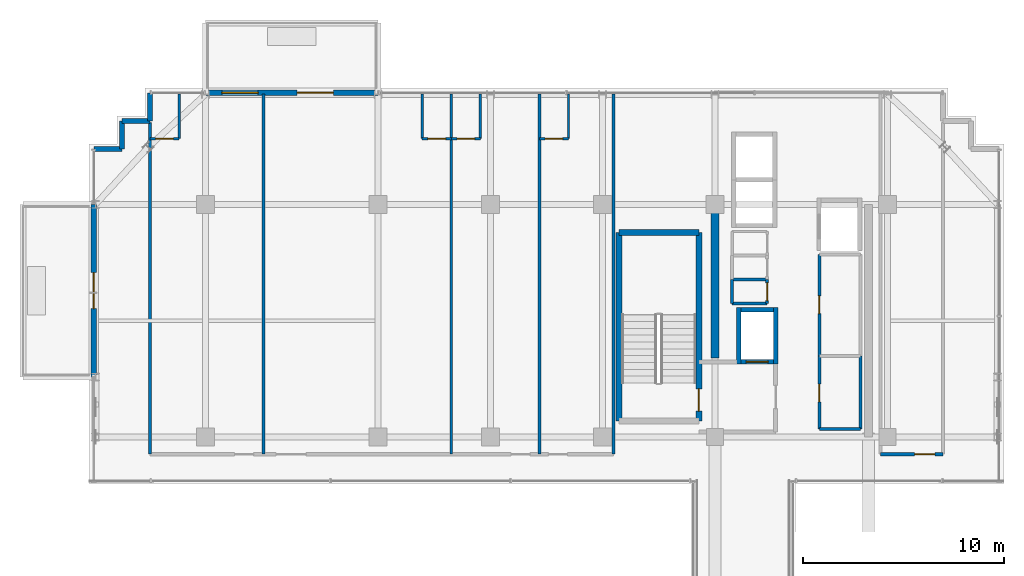
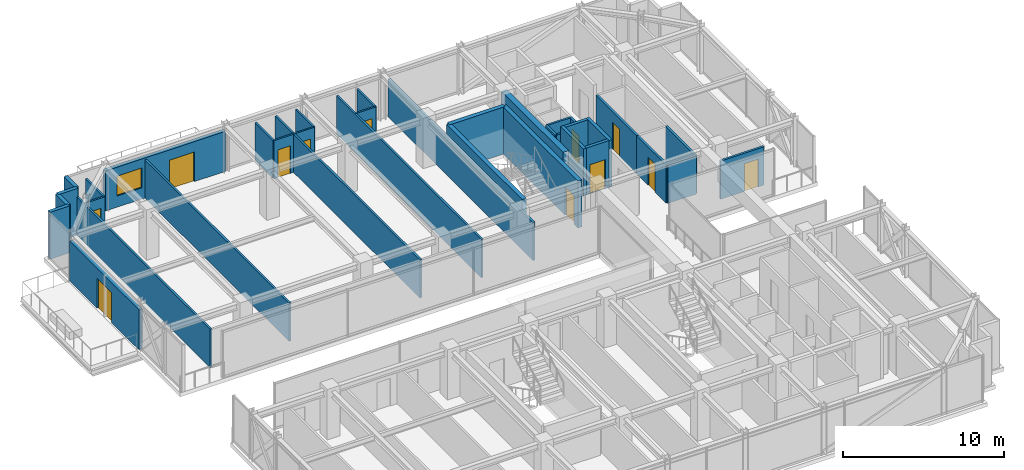
# One storey, part 36 of 41: 36 walls, 12 doors, 1 window, 13 openings.
"""IFC4 building model written with IfcOpenShell, lengths in metres."""

from ifc_helpers import new_model, si_unit, direction, frame, frame_2d, origin, place, context, subcontext, project, spatial, rectangle, extrude, source, transform, mapped, material, layer, layer_set, type_object, element, fill, save


model = new_model("IFC4")

# Units and contexts
model_context = context("Model", 3, precision=1e-05, world=origin(), true_north=direction((0.0, 1.0)))
body_context = subcontext(model_context, "Body", "Model", "MODEL_VIEW")
ifc_project = project(units=[si_unit("LENGTHUNIT", "METRE"), si_unit("AREAUNIT", "SQUARE_METRE"), si_unit("VOLUMEUNIT", "CUBIC_METRE"), si_unit("PLANEANGLEUNIT", "RADIAN"), si_unit("MASSUNIT", "GRAM", prefix="KILO")], contexts=[model_context])

# Site, building, storey
site_placement = place(None, origin())
site = spatial("IfcSite", under=ifc_project, at=site_placement, CompositionType="ELEMENT")
building_placement = place(site_placement, origin())
building = spatial("IfcBuilding", under=site, at=building_placement, Name="Nahalor Promenade Grand Hotel", CompositionType="ELEMENT")
storey_placement = place(building_placement, frame((0.0, 0.0, 304.199951171875)))
storey = spatial("IfcBuildingStorey", under=building, at=storey_placement, Name="L78", CompositionType="ELEMENT", Elevation=304.199951171875)

# Walls
ifc_material_1 = material(Name="Concrete B-50 (C40/50)", Category="concrete")
ifc_layer_1 = layer(ifc_material_1, 0.39990234375)
ifc_layer_set_1 = layer_set([ifc_layer_1], Name="Concrete B-50 (C40/50)")
wall_type_1 = type_object("IfcWallType", Name="Wall-CoreShear-400", PredefinedType="SHEAR", material=ifc_layer_set_1)
shared_shape_1 = source(origin(), body_context, "Body", "SweptSolid", [
    extrude(rectangle(XDim=7.64990234375, YDim=0.39990234375, at=frame_2d((3.824951171875, 0.0))), origin(), (0.0, 0.0, 1.0), 3.550048828125),
])
wall_1_placement = place(storey_placement, frame((8.39990234375, 9.35009765625, 0.0), z_axis=(0.0, 0.0, 1.0), x_axis=(0.0, 1.0, 0.0)))
element("IfcWall", 1, at=wall_1_placement, inside=storey, type_object=wall_type_1, Name="CWALL-L78-NW", PredefinedType="SHEAR", context=body_context, shape_type="MappedRepresentation", body=[
    mapped(shared_shape_1, transform((0.0, 0.0, 0.0), scale=1.0)),
])
ifc_layer_2 = layer(ifc_material_1, 0.300048828125)
ifc_layer_set_2 = layer_set([ifc_layer_2], Name="Concrete B-50 (C40/50)")
wall_type_2 = type_object("IfcWallType", Name="Wall-ShaftShear-300", PredefinedType="SHEAR", material=ifc_layer_set_2)
shared_shape_2 = source(origin(), body_context, "Body", "SweptSolid", [
    extrude(rectangle(XDim=3.97998046875, YDim=0.300048828125, at=frame_2d((1.989990234375, 0.0))), origin(), (0.0, 0.0, 1.0), 3.550048828125),
])
wall_2_placement = place(storey_placement, frame((3.610107421875, 15.590087890625, 0.0), z_axis=(0.0, 0.0, 1.0), x_axis=(1.0, 0.0, 0.0)))
element("IfcWall", 2, at=wall_2_placement, inside=storey, type_object=wall_type_2, Name="L78 Exit Stair ST1 Shaft Wall N", PredefinedType="SHEAR", context=body_context, shape_type="MappedRepresentation", body=[
    mapped(shared_shape_2, transform((0.0, 0.0, 0.0), scale=1.0)),
])
shared_shape_3 = source(origin(), body_context, "Body", "SweptSolid", [
    extrude(rectangle(XDim=9.380126953125, YDim=0.300048828125, at=frame_2d((4.68994140625, 0.0))), origin(), (0.0, 0.0, 1.0), 3.550048828125),
])
wall_3_placement = place(storey_placement, frame((3.610107421875, 6.2099609375, 0.0), z_axis=(0.0, 0.0, 1.0), x_axis=(0.0, 1.0, 0.0)))
element("IfcWall", 3, at=wall_3_placement, inside=storey, type_object=wall_type_2, Name="L78 Exit Stair ST1 Shaft Wall W", PredefinedType="SHEAR", context=body_context, shape_type="MappedRepresentation", body=[
    mapped(shared_shape_3, transform((0.0, 0.0, 0.0), scale=1.0)),
])

# Wall, opening, door
wall_4_placement = place(storey_placement, frame((7.590087890625, 6.2099609375, 0.0), z_axis=(0.0, 0.0, 1.0), x_axis=(0.0, 1.0, 0.0)))
wall_4 = element("IfcWall", 4, at=wall_4_placement, inside=storey, type_object=wall_type_2, Name="L78 Exit Stair ST1 Shaft Wall E", PredefinedType="SHEAR", context=body_context, shape_type="MappedRepresentation", body=[
    mapped(shared_shape_3, transform((0.0, 0.0, 0.0), scale=1.0)),
])
opening_1_placement = place(wall_4_placement, frame((0.489990234375, 0.0, 0.0)))
opening_1 = element("IfcOpeningElement", 5, at=opening_1_placement, cuts=wall_4, Name="Opening D-ST1", PredefinedType="OPENING", context=body_context, shape_type="SweptSolid", body=[
    extrude(rectangle(XDim=1.10009765625, YDim=2.14990234375, at=frame_2d((0.550048828125, 1.074951171875))), frame((0.0, 0.159912109375, 0.0), z_axis=(0.0, -1.0, 0.0), x_axis=(1.0, 0.0, 0.0)), (0.0, 0.0, 1.0), 0.320068359375),
])
ifc_material_2 = material(Name="Steel S355JR", Category="steel")
door_type_1 = type_object("IfcDoorType", Name="Door-StairFire-1100", OperationType="NOTDEFINED", PredefinedType="DOOR", material=ifc_material_2)
shared_shape_4 = source(origin(), body_context, "Body", "SweptSolid", [
    extrude(rectangle(XDim=1.10009765625, YDim=2.14990234375, at=frame_2d((0.550048828125, 1.074951171875))), frame((0.0, 0.02490234375, 0.0), z_axis=(0.0, -1.0, 0.0), x_axis=(1.0, 0.0, 0.0)), (0.0, 0.0, 1.0), 0.050048828125),
])
door_1_placement = place(opening_1_placement, origin())
door_1 = element("IfcDoor", 6, at=door_1_placement, inside=storey, type_object=door_type_1, Name="DR-STAIR-ST1-L78", OperationType="SINGLE_SWING_LEFT", OverallHeight=2.14990234375, OverallWidth=1.10009765625, PredefinedType="DOOR", context=body_context, shape_type="MappedRepresentation", body=[
    mapped(shared_shape_4, transform((0.0, 0.0, 0.0), scale=1.0)),
])
fill(opening_1, door_1)

# Walls
ifc_layer_3 = layer(ifc_material_1, 0.219970703125)
ifc_layer_set_3 = layer_set([ifc_layer_3], Name="Concrete B-50 (C40/50)")
wall_type_3 = type_object("IfcWallType", Name="Wall-LiftShaft-220", PredefinedType="SHEAR", material=ifc_layer_set_3)
shared_shape_5 = source(origin(), body_context, "Body", "SweptSolid", [
    extrude(rectangle(XDim=2.820068359375, YDim=0.219970703125, at=frame_2d((1.41015625, 0.0))), origin(), (0.0, 0.0, 1.0), 3.550048828125),
])
for number, where, z_axis, x_axis, name in (
    (7, (9.580078125, 9.0400390625, 0.0), (0.0, 0.0, 1.0), (0.0, 1.0, 0.0), "L78 Lift FL1 Hoistway Wall W"),
    (8, (11.419921875, 9.0400390625, 0.0), (0.0, 0.0, 1.0), (0.0, 1.0, 0.0), "L78 Lift FL1 Hoistway Wall E"),
):
    element("IfcWall", number, at=place(storey_placement, frame(where, z_axis=z_axis, x_axis=x_axis)), inside=storey, type_object=wall_type_3, Name=name, PredefinedType="SHEAR", context=body_context, shape_type="MappedRepresentation", body=[
        mapped(shared_shape_5, transform((0.0, 0.0, 0.0), scale=1.0)),
    ])

# Wall, opening, door
shared_shape_6 = source(origin(), body_context, "Body", "SweptSolid", [
    extrude(rectangle(XDim=1.6201171875, YDim=0.219970703125, at=frame_2d((0.81005859375, 0.0))), origin(), (0.0, 0.0, 1.0), 3.550048828125),
])
wall_5_placement = place(storey_placement, frame((9.68994140625, 9.14990234375, 0.0), z_axis=(0.0, 0.0, 1.0), x_axis=(1.0, 0.0, 0.0)))
wall_5 = element("IfcWall", 9, at=wall_5_placement, inside=storey, type_object=wall_type_3, Name="L78 Lift FL1 Hoistway Wall S", PredefinedType="SHEAR", context=body_context, shape_type="MappedRepresentation", body=[
    mapped(shared_shape_6, transform((0.0, 0.0, 0.0), scale=1.0)),
])
opening_2_placement = place(wall_5_placement, frame((0.260009765625, 0.0, 0.0)))
opening_2 = element("IfcOpeningElement", 10, at=opening_2_placement, cuts=wall_5, Name="Opening LD-02", PredefinedType="OPENING", context=body_context, shape_type="SweptSolid", body=[
    extrude(rectangle(XDim=1.10009765625, YDim=2.199951171875, at=frame_2d((0.550048828125, 1.10009765625))), frame((0.0, 0.119873046875, 0.0), z_axis=(0.0, -1.0, 0.0), x_axis=(1.0, 0.0, 0.0)), (0.0, 0.0, 1.0), 0.239990234375),
])
door_type_2 = type_object("IfcDoorType", Name="Door-LiftFF-1100", OperationType="DOUBLE_DOOR_SLIDING", PredefinedType="DOOR", material=ifc_material_2)
shared_shape_7 = source(origin(), body_context, "Body", "SweptSolid", [
    extrude(rectangle(XDim=1.10009765625, YDim=2.199951171875, at=frame_2d((0.550048828125, 1.10009765625))), frame((0.0, 0.02490234375, 0.0), z_axis=(0.0, -1.0, 0.0), x_axis=(1.0, 0.0, 0.0)), (0.0, 0.0, 1.0), 0.050048828125),
])
door_2_placement = place(opening_2_placement, frame((1.10009765625, 0.0, 0.0), z_axis=(0.0, 0.0, 1.0), x_axis=(-1.0, 0.0, 0.0)))
door_2 = element("IfcDoor", 11, at=door_2_placement, inside=storey, type_object=door_type_2, Name="DR-LIFT-FL1-L78", OperationType="DOUBLE_DOOR_SLIDING", OverallHeight=2.199951171875, OverallWidth=1.10009765625, PredefinedType="DOOR", context=body_context, shape_type="MappedRepresentation", body=[
    mapped(shared_shape_7, transform((0.0, 0.0, 0.0), scale=1.0)),
])
fill(opening_2, door_2)

# Walls
wall_6_placement = place(storey_placement, frame((9.68994140625, 11.75, 0.0), z_axis=(0.0, 0.0, 1.0), x_axis=(1.0, 0.0, 0.0)))
element("IfcWall", 12, at=wall_6_placement, inside=storey, type_object=wall_type_3, Name="L78 Lift FL1 Hoistway Wall N", PredefinedType="SHEAR", context=body_context, shape_type="MappedRepresentation", body=[
    mapped(shared_shape_6, transform((0.0, 0.0, 0.0), scale=1.0)),
])
ifc_material_3 = material(Name="Concrete B-40 (C32/40)", Category="concrete")
ifc_layer_4 = layer(ifc_material_3, 0.25)
ifc_layer_set_4 = layer_set([ifc_layer_4], Name="Concrete B-40 (C32/40)")
wall_type_4 = type_object("IfcWallType", Name="Wall-BronzePier-250", PredefinedType="STANDARD", material=ifc_layer_set_4)
shared_shape_8 = source(origin(), body_context, "Body", "SweptSolid", [
    extrude(rectangle(XDim=1.400146484375, YDim=0.25, at=frame_2d((0.7001953125, 0.0))), origin(), (0.0, 0.0, 1.0), 3.550048828125),
])
for number, where, z_axis, x_axis, name in (
    (13, (-19.760009765625, 21.159912109375, 0.0), (0.0, 0.0, 1.0), (0.0, 1.0, 0.0), "W-L78-SR-09"),
    (14, (-22.56005859375, 19.760009765625, 0.0), (0.0, 0.0, 1.0), (1.0, 0.0, 0.0), "W-L78-SR-12"),
):
    element("IfcWall", number, at=place(storey_placement, frame(where, z_axis=z_axis, x_axis=x_axis)), inside=storey, type_object=wall_type_4, Name=name, PredefinedType="STANDARD", context=body_context, shape_type="MappedRepresentation", body=[
        mapped(shared_shape_8, transform((0.0, 0.0, 0.0), scale=1.0)),
    ])
shared_shape_9 = source(origin(), body_context, "Body", "SweptSolid", [
    extrude(rectangle(XDim=1.39990234375, YDim=0.25, at=frame_2d((0.699951171875, 0.0))), origin(), (0.0, 0.0, 1.0), 3.550048828125),
])
for number, where, z_axis, x_axis, name in (
    (15, (-21.159912109375, 21.159912109375, 0.0), (0.0, 0.0, 1.0), (1.0, 0.0, 0.0), "W-L78-SR-10"),
    (16, (-21.159912109375, 19.760009765625, 0.0), (0.0, 0.0, 1.0), (0.0, 1.0, 0.0), "W-L78-SR-11"),
):
    element("IfcWall", number, at=place(storey_placement, frame(where, z_axis=z_axis, x_axis=x_axis)), inside=storey, type_object=wall_type_4, Name=name, PredefinedType="STANDARD", context=body_context, shape_type="MappedRepresentation", body=[
        mapped(shared_shape_9, transform((0.0, 0.0, 0.0), scale=1.0)),
    ])

# Wall, openings, door, window
ifc_layer_5 = layer(ifc_material_3, 0.260009765625)
ifc_layer_set_5 = layer_set([ifc_layer_5], Name="Concrete B-40 (C32/40)")
wall_type_5 = type_object("IfcWallType", Name="Wall-BalconyWall-260", PredefinedType="STANDARD", material=ifc_layer_set_5)
shared_shape_10 = source(origin(), body_context, "Body", "SweptSolid", [
    extrude(rectangle(XDim=8.60009765625, YDim=0.260009765625, at=frame_2d((4.300048828125, 0.0))), origin(), (0.0, 0.0, 1.0), 3.030029296875),
])
wall_7_placement = place(storey_placement, frame((-17.0, 22.56005859375, 0.0), z_axis=(0.0, 0.0, 1.0), x_axis=(1.0, 0.0, 0.0)))
wall_7 = element("IfcWall", 17, at=wall_7_placement, inside=storey, type_object=wall_type_5, Name="W-L78-BALC-N-2", PredefinedType="STANDARD", context=body_context, shape_type="MappedRepresentation", body=[
    mapped(shared_shape_10, transform((0.0, 0.0, 0.0), scale=1.0)),
])
opening_3_placement = place(wall_7_placement, frame((4.573974609375, 0.0, 0.0)))
opening_3 = element("IfcOpeningElement", 18, at=opening_3_placement, cuts=wall_7, Name="Opening D-BC1", PredefinedType="OPENING", context=body_context, shape_type="SweptSolid", body=[
    extrude(rectangle(XDim=1.800048828125, YDim=2.25, at=frame_2d((0.89990234375, 1.125))), frame((0.0, 0.139892578125, 0.0), z_axis=(0.0, -1.0, 0.0), x_axis=(1.0, 0.0, 0.0)), (0.0, 0.0, 1.0), 0.280029296875),
])
opening_4_placement = place(wall_7_placement, frame((0.823974609375, 0.0, 0.85009765625)))
opening_4 = element("IfcOpeningElement", 19, at=opening_4_placement, cuts=wall_7, Name="Opening WN-01", PredefinedType="OPENING", context=body_context, shape_type="SweptSolid", body=[
    extrude(rectangle(XDim=1.800048828125, YDim=1.5, at=frame_2d((0.89990234375, 0.75))), frame((0.0, 0.139892578125, 0.0), z_axis=(0.0, -1.0, 0.0), x_axis=(1.0, 0.0, 0.0)), (0.0, 0.0, 1.0), 0.280029296875),
])
ifc_material_4 = material(Name="Anodised Bronze Aluminium EN AW-6063 T6", Category="aluminium")
door_type_3 = type_object("IfcDoorType", Name="Door-BalconySlide-1800", OperationType="DOUBLE_DOOR_SLIDING", PredefinedType="DOOR", material=ifc_material_4)
shared_shape_11 = source(origin(), body_context, "Body", "SweptSolid", [
    extrude(rectangle(XDim=1.800048828125, YDim=2.25, at=frame_2d((0.89990234375, 1.125))), frame((0.0, 0.02490234375, 0.0), z_axis=(0.0, -1.0, 0.0), x_axis=(1.0, 0.0, 0.0)), (0.0, 0.0, 1.0), 0.050048828125),
])
door_3_placement = place(opening_3_placement, origin())
door_3 = element("IfcDoor", 20, at=door_3_placement, inside=storey, type_object=door_type_3, Name="DR-L78-BALC-N-2", OperationType="DOUBLE_DOOR_SLIDING", OverallHeight=2.25, OverallWidth=1.800048828125, PredefinedType="DOOR", context=body_context, shape_type="MappedRepresentation", body=[
    mapped(shared_shape_11, transform((0.0, 0.0, 0.0), scale=1.0)),
])
fill(opening_3, door_3)
ifc_material_5 = material(Name="Low-E Laminated Solar Glass", Category="glass")
window_type = type_object("IfcWindowType", Name="Win-ChicagoBay-1800x1500", PartitioningType="SINGLE_PANEL", PredefinedType="WINDOW", material=ifc_material_5)
shared_shape_12 = source(origin(), body_context, "Body", "SweptSolid", [
    extrude(rectangle(XDim=1.800048828125, YDim=1.5, at=frame_2d((0.89990234375, 0.75))), frame((0.0, 0.030029296875, 0.0), z_axis=(0.0, -1.0, 0.0), x_axis=(1.0, 0.0, 0.0)), (0.0, 0.0, 1.0), 0.06005859375),
])
window_placement = place(opening_4_placement, origin())
window = element("IfcWindow", 21, at=window_placement, inside=storey, type_object=window_type, Name="WN-L78-BALC-N-2-1", OverallHeight=1.5, OverallWidth=1.800048828125, PartitioningType="SINGLE_PANEL", PredefinedType="WINDOW", context=body_context, shape_type="MappedRepresentation", body=[
    mapped(shared_shape_12, transform((0.0, 0.0, 0.0), scale=1.0)),
])
fill(opening_4, window)

# Wall, opening, door
wall_8_placement = place(storey_placement, frame((-22.56005859375, 8.39990234375, 0.0), z_axis=(0.0, 0.0, 1.0), x_axis=(0.0, 1.0, 0.0)))
wall_8 = element("IfcWall", 22, at=wall_8_placement, inside=storey, type_object=wall_type_5, Name="W-L78-BALC-W-3", PredefinedType="STANDARD", context=body_context, shape_type="MappedRepresentation", body=[
    mapped(shared_shape_10, transform((0.0, 0.0, 0.0), scale=1.0)),
])
opening_5_placement = place(wall_8_placement, frame((3.39990234375, 0.0, 0.0)))
opening_5 = element("IfcOpeningElement", 23, at=opening_5_placement, cuts=wall_8, Name="Opening D-BC1", PredefinedType="OPENING", context=body_context, shape_type="SweptSolid", body=[
    extrude(rectangle(XDim=1.800048828125, YDim=2.25, at=frame_2d((0.89990234375, 1.125))), frame((0.0, 0.139892578125, 0.0), z_axis=(0.0, -1.0, 0.0), x_axis=(1.0, 0.0, 0.0)), (0.0, 0.0, 1.0), 0.280029296875),
])
door_4_placement = place(opening_5_placement, origin())
door_4 = element("IfcDoor", 24, at=door_4_placement, inside=storey, type_object=door_type_3, Name="DR-L78-BALC-W-3", OperationType="DOUBLE_DOOR_SLIDING", OverallHeight=2.25, OverallWidth=1.800048828125, PredefinedType="DOOR", context=body_context, shape_type="MappedRepresentation", body=[
    mapped(shared_shape_11, transform((0.0, 0.0, 0.0), scale=1.0)),
])
fill(opening_5, door_4)

# Walls
ifc_material_6 = material(Name="Acoustic Mineral Gypsum", Category="gypsum")
ifc_layer_6 = layer(ifc_material_6, 0.14990234375)
ifc_layer_set_6 = layer_set([ifc_layer_6], Name="Acoustic Mineral Gypsum")
wall_type_6 = type_object("IfcWallType", Name="Wall-PartService-150", PredefinedType="PARTITIONING", material=ifc_layer_set_6)
shared_shape_13 = source(origin(), body_context, "Body", "SweptSolid", [
    extrude(rectangle(XDim=1.75, YDim=0.14990234375, at=frame_2d((0.875, 0.0))), origin(), (0.0, 0.0, 1.0), 2.89013671875),
])
for number, where, z_axis, x_axis, name in (
    (25, (9.25, 12.050048828125, 0.0), (0.0, 0.0, 1.0), (1.0, 0.0, 0.0), "W-L78-CK3A-S"),
    (26, (9.25, 13.25, 0.0), (0.0, 0.0, 1.0), (1.0, 0.0, 0.0), "W-L78-CK3A-N"),
):
    element("IfcWall", number, at=place(storey_placement, frame(where, z_axis=z_axis, x_axis=x_axis)), inside=storey, type_object=wall_type_6, Name=name, PredefinedType="PARTITIONING", context=body_context, shape_type="MappedRepresentation", body=[
        mapped(shared_shape_13, transform((0.0, 0.0, 0.0), scale=1.0)),
    ])
shared_shape_14 = source(origin(), body_context, "Body", "SweptSolid", [
    extrude(rectangle(XDim=1.199951171875, YDim=0.14990234375, at=frame_2d((0.60009765625, 0.0))), origin(), (0.0, 0.0, 1.0), 2.89013671875),
])
wall_9_placement = place(storey_placement, frame((9.25, 12.050048828125, 0.0), z_axis=(0.0, 0.0, 1.0), x_axis=(0.0, 1.0, 0.0)))
element("IfcWall", 27, at=wall_9_placement, inside=storey, type_object=wall_type_6, Name="W-L78-CK3A-W", PredefinedType="PARTITIONING", context=body_context, shape_type="MappedRepresentation", body=[
    mapped(shared_shape_14, transform((0.0, 0.0, 0.0), scale=1.0)),
])

# Wall, opening, door
wall_10_placement = place(storey_placement, frame((11.0, 12.050048828125, 0.0), z_axis=(0.0, 0.0, 1.0), x_axis=(0.0, 1.0, 0.0)))
wall_10 = element("IfcWall", 28, at=wall_10_placement, inside=storey, type_object=wall_type_6, Name="W-L78-CK3A-E", PredefinedType="PARTITIONING", context=body_context, shape_type="MappedRepresentation", body=[
    mapped(shared_shape_14, transform((0.0, 0.0, 0.0), scale=1.0)),
])
opening_6_placement = place(wall_10_placement, frame((0.159912109375, 0.0, 0.0)))
opening_6 = element("IfcOpeningElement", 29, at=opening_6_placement, cuts=wall_10, Name="Opening D-03", PredefinedType="OPENING", context=body_context, shape_type="SweptSolid", body=[
    extrude(rectangle(XDim=0.8798828125, YDim=2.10009765625, at=frame_2d((0.43994140625, 1.050048828125))), frame((0.0, 0.0849609375, 0.0), z_axis=(0.0, -1.0, 0.0), x_axis=(1.0, 0.0, 0.0)), (0.0, 0.0, 1.0), 0.169921875),
])
ifc_material_7 = material(Name="Fire-Rated Timber Composite", Category="wood")
door_type_4 = type_object("IfcDoorType", Name="Door-BathSwing-880", OperationType="NOTDEFINED", PredefinedType="DOOR", material=ifc_material_7)
shared_shape_15 = source(origin(), body_context, "Body", "SweptSolid", [
    extrude(rectangle(XDim=0.8798828125, YDim=2.10009765625, at=frame_2d((0.43994140625, 1.050048828125))), frame((0.0, 0.02490234375, 0.0), z_axis=(0.0, -1.0, 0.0), x_axis=(1.0, 0.0, 0.0)), (0.0, 0.0, 1.0), 0.050048828125),
])
door_5_placement = place(opening_6_placement, origin())
door_5 = element("IfcDoor", 30, at=door_5_placement, inside=storey, type_object=door_type_4, Name="DR-L78-CK3A", OperationType="SINGLE_SWING_LEFT", OverallHeight=2.10009765625, OverallWidth=0.8798828125, PredefinedType="DOOR", context=body_context, shape_type="MappedRepresentation", body=[
    mapped(shared_shape_15, transform((0.0, 0.0, 0.0), scale=1.0)),
])
fill(opening_6, door_5)

# Wall
ifc_layer_7 = layer(ifc_material_6, 0.159912109375)
ifc_layer_set_7 = layer_set([ifc_layer_7], Name="Acoustic Mineral Gypsum")
wall_type_7 = type_object("IfcWallType", Name="Wall-PartCorridor-160", PredefinedType="PARTITIONING", material=ifc_layer_set_7)
shared_shape_16 = source(origin(), body_context, "Body", "SweptSolid", [
    extrude(rectangle(XDim=2.0498046875, YDim=0.159912109375, at=frame_2d((1.02490234375, 0.0))), origin(), (0.0, 0.0, 1.0), 2.89013671875),
])
wall_11_placement = place(storey_placement, frame((13.60009765625, 5.800048828125, 0.0), z_axis=(0.0, 0.0, 1.0), x_axis=(1.0, 0.0, 0.0)))
element("IfcWall", 31, at=wall_11_placement, inside=storey, type_object=wall_type_7, Name="W-L78-FRB1A-S", PredefinedType="PARTITIONING", context=body_context, shape_type="MappedRepresentation", body=[
    mapped(shared_shape_16, transform((0.0, 0.0, 0.0), scale=1.0)),
])

# Wall, opening, door
shared_shape_17 = source(origin(), body_context, "Body", "SweptSolid", [
    extrude(rectangle(XDim=3.64990234375, YDim=0.159912109375, at=frame_2d((1.824951171875, 0.0))), origin(), (0.0, 0.0, 1.0), 2.89013671875),
])
wall_12_placement = place(storey_placement, frame((13.60009765625, 5.800048828125, 0.0), z_axis=(0.0, 0.0, 1.0), x_axis=(0.0, 1.0, 0.0)))
wall_12 = element("IfcWall", 32, at=wall_12_placement, inside=storey, type_object=wall_type_7, Name="W-L78-FRB1A-W", PredefinedType="PARTITIONING", context=body_context, shape_type="MappedRepresentation", body=[
    mapped(shared_shape_17, transform((0.0, 0.0, 0.0), scale=1.0)),
])
opening_7_placement = place(wall_12_placement, frame((1.360107421875, 0.0, 0.0)))
opening_7 = element("IfcOpeningElement", 33, at=opening_7_placement, cuts=wall_12, Name="Opening D-03", PredefinedType="OPENING", context=body_context, shape_type="SweptSolid", body=[
    extrude(rectangle(XDim=0.8798828125, YDim=2.10009765625, at=frame_2d((0.43994140625, 1.050048828125))), frame((0.0, 0.08984375, 0.0), z_axis=(0.0, -1.0, 0.0), x_axis=(1.0, 0.0, 0.0)), (0.0, 0.0, 1.0), 0.179931640625),
])
door_6_placement = place(opening_7_placement, frame((0.8798828125, 0.0, 0.0), z_axis=(0.0, 0.0, 1.0), x_axis=(-1.0, 0.0, 0.0)))
door_6 = element("IfcDoor", 34, at=door_6_placement, inside=storey, type_object=door_type_4, Name="DR-L78-FRB1A", OperationType="SINGLE_SWING_RIGHT", OverallHeight=2.10009765625, OverallWidth=0.8798828125, PredefinedType="DOOR", context=body_context, shape_type="MappedRepresentation", body=[
    mapped(shared_shape_15, transform((0.0, 0.0, 0.0), scale=1.0)),
])
fill(opening_7, door_6)

# Wall
wall_13_placement = place(storey_placement, frame((15.64990234375, 5.800048828125, 0.0), z_axis=(0.0, 0.0, 1.0), x_axis=(0.0, 1.0, 0.0)))
element("IfcWall", 35, at=wall_13_placement, inside=storey, type_object=wall_type_7, Name="W-L78-FRB1A-E", PredefinedType="PARTITIONING", context=body_context, shape_type="MappedRepresentation", body=[
    mapped(shared_shape_17, transform((0.0, 0.0, 0.0), scale=1.0)),
])

# Wall, opening, door
shared_shape_18 = source(origin(), body_context, "Body", "SweptSolid", [
    extrude(rectangle(XDim=5.050048828125, YDim=0.159912109375, at=frame_2d((2.52490234375, 0.0))), origin(), (0.0, 0.0, 1.0), 2.89013671875),
])
wall_14_placement = place(storey_placement, frame((13.60009765625, 9.449951171875, 0.0), z_axis=(0.0, 0.0, 1.0), x_axis=(0.0, 1.0, 0.0)))
wall_14 = element("IfcWall", 36, at=wall_14_placement, inside=storey, type_object=wall_type_7, Name="W-L78-FRB1B-W", PredefinedType="PARTITIONING", context=body_context, shape_type="MappedRepresentation", body=[
    mapped(shared_shape_18, transform((0.0, 0.0, 0.0), scale=1.0)),
])
opening_8_placement = place(wall_14_placement, frame((2.110107421875, 0.0, 0.0)))
opening_8 = element("IfcOpeningElement", 37, at=opening_8_placement, cuts=wall_14, Name="Opening D-03", PredefinedType="OPENING", context=body_context, shape_type="SweptSolid", body=[
    extrude(rectangle(XDim=0.8798828125, YDim=2.10009765625, at=frame_2d((0.43994140625, 1.050048828125))), frame((0.0, 0.08984375, 0.0), z_axis=(0.0, -1.0, 0.0), x_axis=(1.0, 0.0, 0.0)), (0.0, 0.0, 1.0), 0.179931640625),
])
door_7_placement = place(opening_8_placement, frame((0.8798828125, 0.0, 0.0), z_axis=(0.0, 0.0, 1.0), x_axis=(-1.0, 0.0, 0.0)))
door_7 = element("IfcDoor", 38, at=door_7_placement, inside=storey, type_object=door_type_4, Name="DR-L78-FRB1B", OperationType="SINGLE_SWING_LEFT", OverallHeight=2.10009765625, OverallWidth=0.8798828125, PredefinedType="DOOR", context=body_context, shape_type="MappedRepresentation", body=[
    mapped(shared_shape_15, transform((0.0, 0.0, 0.0), scale=1.0)),
])
fill(opening_8, door_7)

shared_shape_19 = source(origin(), body_context, "Body", "SweptSolid", [
    extrude(rectangle(XDim=3.110107421875, YDim=0.159912109375, at=frame_2d((1.55517578125, 0.0))), origin(), (0.0, 0.0, 1.0), 2.89013671875),
])
wall_15_placement = place(storey_placement, frame((16.64990234375, 4.550048828125, 0.0), z_axis=(0.0, 0.0, 1.0), x_axis=(1.0, 0.0, 0.0)))
wall_15 = element("IfcWall", 39, at=wall_15_placement, inside=storey, type_object=wall_type_7, Name="W-L78-ENE-S", PredefinedType="PARTITIONING", context=body_context, shape_type="MappedRepresentation", body=[
    mapped(shared_shape_19, transform((0.0, 0.0, 0.0), scale=1.0)),
])
opening_9_placement = place(wall_15_placement, frame((1.700927734375, 0.0, 0.0)))
opening_9 = element("IfcOpeningElement", 40, at=opening_9_placement, cuts=wall_15, Name="Opening D-04", PredefinedType="OPENING", context=body_context, shape_type="SweptSolid", body=[
    extrude(rectangle(XDim=1.0, YDim=2.10009765625, at=frame_2d((0.5, 1.050048828125))), frame((0.0, 0.08984375, 0.0), z_axis=(0.0, -1.0, 0.0), x_axis=(1.0, 0.0, 0.0)), (0.0, 0.0, 1.0), 0.179931640625),
])
door_type_5 = type_object("IfcDoorType", Name="Door-ServiceFire-1000", OperationType="NOTDEFINED", PredefinedType="DOOR", material=ifc_material_2)
shared_shape_20 = source(origin(), body_context, "Body", "SweptSolid", [
    extrude(rectangle(XDim=1.0, YDim=2.10009765625, at=frame_2d((0.5, 1.050048828125))), frame((0.0, 0.02490234375, 0.0), z_axis=(0.0, -1.0, 0.0), x_axis=(1.0, 0.0, 0.0)), (0.0, 0.0, 1.0), 0.050048828125),
])
door_8_placement = place(opening_9_placement, origin())
door_8 = element("IfcDoor", 41, at=door_8_placement, inside=storey, type_object=door_type_5, Name="DR-L78-ENE", OperationType="SINGLE_SWING_RIGHT", OverallHeight=2.10009765625, OverallWidth=1.0, PredefinedType="DOOR", context=body_context, shape_type="MappedRepresentation", body=[
    mapped(shared_shape_20, transform((0.0, 0.0, 0.0), scale=1.0)),
])
fill(opening_9, door_8)

# Walls
ifc_layer_8 = layer(ifc_material_6, 0.139892578125)
ifc_layer_set_8 = layer_set([ifc_layer_8], Name="Acoustic Mineral Gypsum")
wall_type_8 = type_object("IfcWallType", Name="Wall-PartSuite-140", PredefinedType="PARTITIONING", material=ifc_layer_set_8)
shared_shape_21 = source(origin(), body_context, "Body", "SweptSolid", [
    extrude(rectangle(XDim=16.530029296875, YDim=0.139892578125, at=frame_2d((8.26513671875, 0.0))), origin(), (0.0, 0.0, 1.0), 2.89013671875),
])
wall_16_placement = place(storey_placement, frame((-19.760009765625, 4.550048828125, 0.0), z_axis=(0.0, 0.0, 1.0), x_axis=(0.0, 1.0, 0.0)))
element("IfcWall", 42, at=wall_16_placement, inside=storey, type_object=wall_type_8, Name="W-L78-NW-ENDW", PredefinedType="PARTITIONING", context=body_context, shape_type="MappedRepresentation", body=[
    mapped(shared_shape_21, transform((0.0, 0.0, 0.0), scale=1.0)),
])
shared_shape_22 = source(origin(), body_context, "Body", "SweptSolid", [
    extrude(rectangle(XDim=17.949951171875, YDim=0.139892578125, at=frame_2d((8.97509765625, 0.0))), origin(), (0.0, 0.0, 1.0), 2.89013671875),
])
for number, where, z_axis, x_axis, name in (
    (43, (3.340087890625, 4.550048828125, 0.0), (0.0, 0.0, 1.0), (0.0, 1.0, 0.0), "W-L78-NW-ENDE"),
    (44, (-14.10302734375, 4.550048828125, 0.0), (0.0, 0.0, 1.0), (0.0, 1.0, 0.0), "W-L78-NP-1"),
    (45, (-4.7451171875, 4.550048828125, 0.0), (0.0, 0.0, 1.0), (0.0, 1.0, 0.0), "W-L78-NP-2"),
    (46, (-0.35595703125, 4.550048828125, 0.0), (0.0, 0.0, 1.0), (0.0, 1.0, 0.0), "W-L78-NP-3"),
):
    element("IfcWall", number, at=place(storey_placement, frame(where, z_axis=z_axis, x_axis=x_axis)), inside=storey, type_object=wall_type_8, Name=name, PredefinedType="PARTITIONING", context=body_context, shape_type="MappedRepresentation", body=[
        mapped(shared_shape_22, transform((0.0, 0.0, 0.0), scale=1.0)),
    ])

# Wall, opening, door
ifc_layer_9 = layer(ifc_material_6, 0.1201171875)
ifc_layer_set_9 = layer_set([ifc_layer_9], Name="Acoustic Mineral Gypsum")
wall_type_9 = type_object("IfcWallType", Name="Wall-PartBath-120", PredefinedType="PARTITIONING", material=ifc_layer_set_9)
shared_shape_23 = source(origin(), body_context, "Body", "SweptSolid", [
    extrude(rectangle(XDim=1.449951171875, YDim=0.1201171875, at=frame_2d((0.72509765625, 0.0))), origin(), (0.0, 0.0, 1.0), 2.89013671875),
])
wall_17_placement = place(storey_placement, frame((-19.760009765625, 20.280029296875, 0.0), z_axis=(0.0, 0.0, 1.0), x_axis=(1.0, 0.0, 0.0)))
wall_17 = element("IfcWall", 47, at=wall_17_placement, inside=storey, type_object=wall_type_9, Name="W-L78-N1-BH", PredefinedType="PARTITIONING", context=body_context, shape_type="MappedRepresentation", body=[
    mapped(shared_shape_23, transform((0.0, 0.0, 0.0), scale=1.0)),
])
opening_10_placement = place(wall_17_placement, frame((0.284912109375, 0.0, 0.0)))
opening_10 = element("IfcOpeningElement", 48, at=opening_10_placement, cuts=wall_17, Name="Opening D-03", PredefinedType="OPENING", context=body_context, shape_type="SweptSolid", body=[
    extrude(rectangle(XDim=0.8798828125, YDim=2.10009765625, at=frame_2d((0.43994140625, 1.050048828125))), frame((0.0, 0.070068359375, 0.0), z_axis=(0.0, -1.0, 0.0), x_axis=(1.0, 0.0, 0.0)), (0.0, 0.0, 1.0), 0.14013671875),
])
door_9_placement = place(opening_10_placement, origin())
door_9 = element("IfcDoor", 49, at=door_9_placement, inside=storey, type_object=door_type_4, Name="DR-L78-N1-BATH", OperationType="SINGLE_SWING_RIGHT", OverallHeight=2.10009765625, OverallWidth=0.8798828125, PredefinedType="DOOR", context=body_context, shape_type="MappedRepresentation", body=[
    mapped(shared_shape_15, transform((0.0, 0.0, 0.0), scale=1.0)),
])
fill(opening_10, door_9)

wall_18_placement = place(storey_placement, frame((-6.195068359375, 20.280029296875, 0.0), z_axis=(0.0, 0.0, 1.0), x_axis=(1.0, 0.0, 0.0)))
wall_18 = element("IfcWall", 50, at=wall_18_placement, inside=storey, type_object=wall_type_9, Name="W-L78-N2-BH", PredefinedType="PARTITIONING", context=body_context, shape_type="MappedRepresentation", body=[
    mapped(shared_shape_23, transform((0.0, 0.0, 0.0), scale=1.0)),
])
opening_11_placement = place(wall_18_placement, frame((0.284912109375, 0.0, 0.0)))
opening_11 = element("IfcOpeningElement", 51, at=opening_11_placement, cuts=wall_18, Name="Opening D-03", PredefinedType="OPENING", context=body_context, shape_type="SweptSolid", body=[
    extrude(rectangle(XDim=0.8798828125, YDim=2.10009765625, at=frame_2d((0.43994140625, 1.050048828125))), frame((0.0, 0.070068359375, 0.0), z_axis=(0.0, -1.0, 0.0), x_axis=(1.0, 0.0, 0.0)), (0.0, 0.0, 1.0), 0.14013671875),
])
door_10_placement = place(opening_11_placement, origin())
door_10 = element("IfcDoor", 52, at=door_10_placement, inside=storey, type_object=door_type_4, Name="DR-L78-N2-BATH", OperationType="SINGLE_SWING_RIGHT", OverallHeight=2.10009765625, OverallWidth=0.8798828125, PredefinedType="DOOR", context=body_context, shape_type="MappedRepresentation", body=[
    mapped(shared_shape_15, transform((0.0, 0.0, 0.0), scale=1.0)),
])
fill(opening_11, door_10)

wall_19_placement = place(storey_placement, frame((-0.35595703125, 20.280029296875, 0.0), z_axis=(0.0, 0.0, 1.0), x_axis=(1.0, 0.0, 0.0)))
wall_19 = element("IfcWall", 53, at=wall_19_placement, inside=storey, type_object=wall_type_9, Name="W-L78-N4-BH", PredefinedType="PARTITIONING", context=body_context, shape_type="MappedRepresentation", body=[
    mapped(shared_shape_23, transform((0.0, 0.0, 0.0), scale=1.0)),
])
opening_12_placement = place(wall_19_placement, frame((0.284912109375, 0.0, 0.0)))
opening_12 = element("IfcOpeningElement", 54, at=opening_12_placement, cuts=wall_19, Name="Opening D-03", PredefinedType="OPENING", context=body_context, shape_type="SweptSolid", body=[
    extrude(rectangle(XDim=0.8798828125, YDim=2.10009765625, at=frame_2d((0.43994140625, 1.050048828125))), frame((0.0, 0.070068359375, 0.0), z_axis=(0.0, -1.0, 0.0), x_axis=(1.0, 0.0, 0.0)), (0.0, 0.0, 1.0), 0.14013671875),
])
door_11_placement = place(opening_12_placement, origin())
door_11 = element("IfcDoor", 55, at=door_11_placement, inside=storey, type_object=door_type_4, Name="DR-L78-N4-BATH", OperationType="SINGLE_SWING_LEFT", OverallHeight=2.10009765625, OverallWidth=0.8798828125, PredefinedType="DOOR", context=body_context, shape_type="MappedRepresentation", body=[
    mapped(shared_shape_15, transform((0.0, 0.0, 0.0), scale=1.0)),
])
fill(opening_12, door_11)

# Walls
shared_shape_24 = source(origin(), body_context, "Body", "SweptSolid", [
    extrude(rectangle(XDim=2.219970703125, YDim=0.1201171875, at=frame_2d((1.10986328125, 0.0))), origin(), (0.0, 0.0, 1.0), 2.89013671875),
])
for number, where, z_axis, x_axis, name in (
    (56, (-18.31005859375, 20.280029296875, 0.0), (0.0, 0.0, 1.0), (0.0, 1.0, 0.0), "W-L78-N1-BV"),
    (57, (-6.195068359375, 20.280029296875, 0.0), (0.0, 0.0, 1.0), (0.0, 1.0, 0.0), "W-L78-N2-BV"),
    (58, (-3.294921875, 20.280029296875, 0.0), (0.0, 0.0, 1.0), (0.0, 1.0, 0.0), "W-L78-N3-BV"),
    (59, (1.093994140625, 20.280029296875, 0.0), (0.0, 0.0, 1.0), (0.0, 1.0, 0.0), "W-L78-N4-BV"),
):
    element("IfcWall", number, at=place(storey_placement, frame(where, z_axis=z_axis, x_axis=x_axis)), inside=storey, type_object=wall_type_9, Name=name, PredefinedType="PARTITIONING", context=body_context, shape_type="MappedRepresentation", body=[
        mapped(shared_shape_24, transform((0.0, 0.0, 0.0), scale=1.0)),
    ])

# Wall, opening, door
shared_shape_25 = source(origin(), body_context, "Body", "SweptSolid", [
    extrude(rectangle(XDim=1.4501953125, YDim=0.1201171875, at=frame_2d((0.72509765625, 0.0))), origin(), (0.0, 0.0, 1.0), 2.89013671875),
])
wall_20_placement = place(storey_placement, frame((-4.7451171875, 20.280029296875, 0.0), z_axis=(0.0, 0.0, 1.0), x_axis=(1.0, 0.0, 0.0)))
wall_20 = element("IfcWall", 60, at=wall_20_placement, inside=storey, type_object=wall_type_9, Name="W-L78-N3-BH", PredefinedType="PARTITIONING", context=body_context, shape_type="MappedRepresentation", body=[
    mapped(shared_shape_25, transform((0.0, 0.0, 0.0), scale=1.0)),
])
opening_13_placement = place(wall_20_placement, frame((0.284912109375, 0.0, 0.0)))
opening_13 = element("IfcOpeningElement", 61, at=opening_13_placement, cuts=wall_20, Name="Opening D-03", PredefinedType="OPENING", context=body_context, shape_type="SweptSolid", body=[
    extrude(rectangle(XDim=0.8798828125, YDim=2.10009765625, at=frame_2d((0.43994140625, 1.050048828125))), frame((0.0, 0.070068359375, 0.0), z_axis=(0.0, -1.0, 0.0), x_axis=(1.0, 0.0, 0.0)), (0.0, 0.0, 1.0), 0.14013671875),
])
door_12_placement = place(opening_13_placement, origin())
door_12 = element("IfcDoor", 62, at=door_12_placement, inside=storey, type_object=door_type_4, Name="DR-L78-N3-BATH", OperationType="SINGLE_SWING_LEFT", OverallHeight=2.10009765625, OverallWidth=0.8798828125, PredefinedType="DOOR", context=body_context, shape_type="MappedRepresentation", body=[
    mapped(shared_shape_15, transform((0.0, 0.0, 0.0), scale=1.0)),
])
fill(opening_13, door_12)

save(model, "model.ifc")
